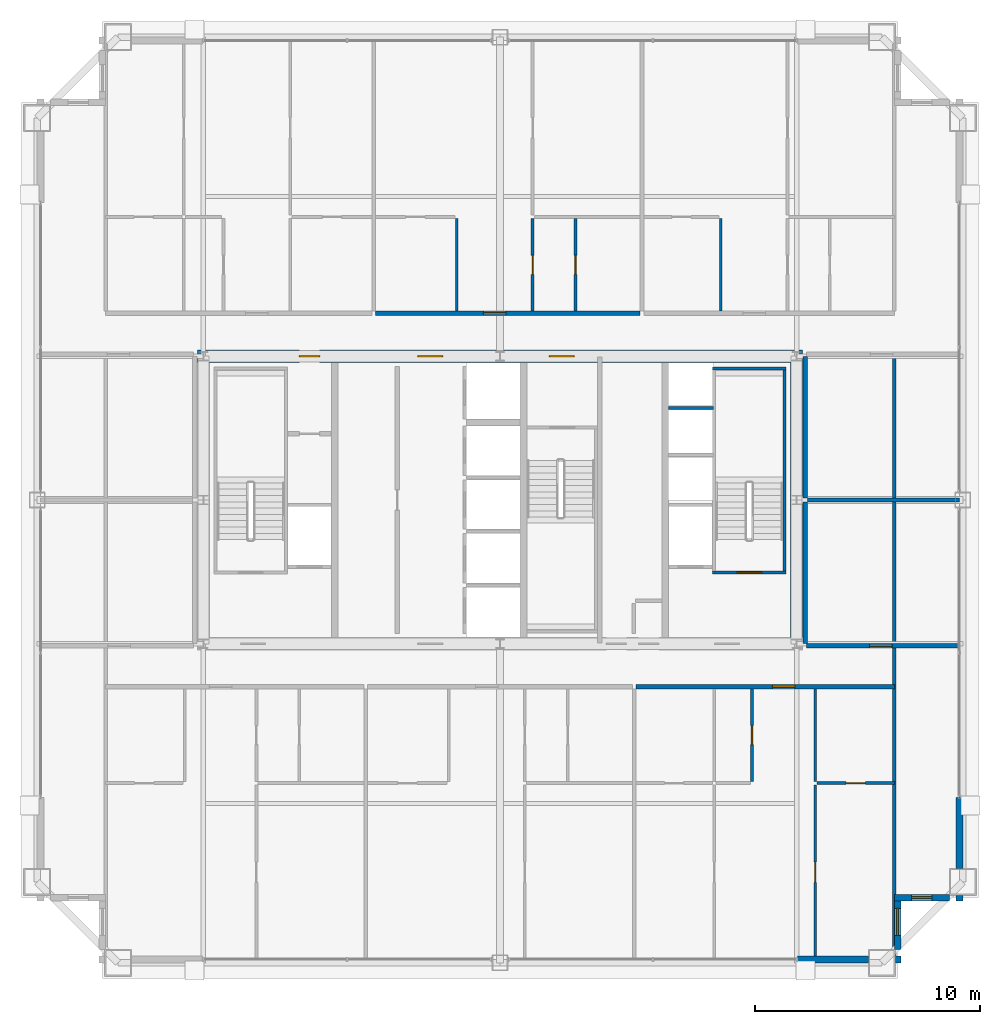
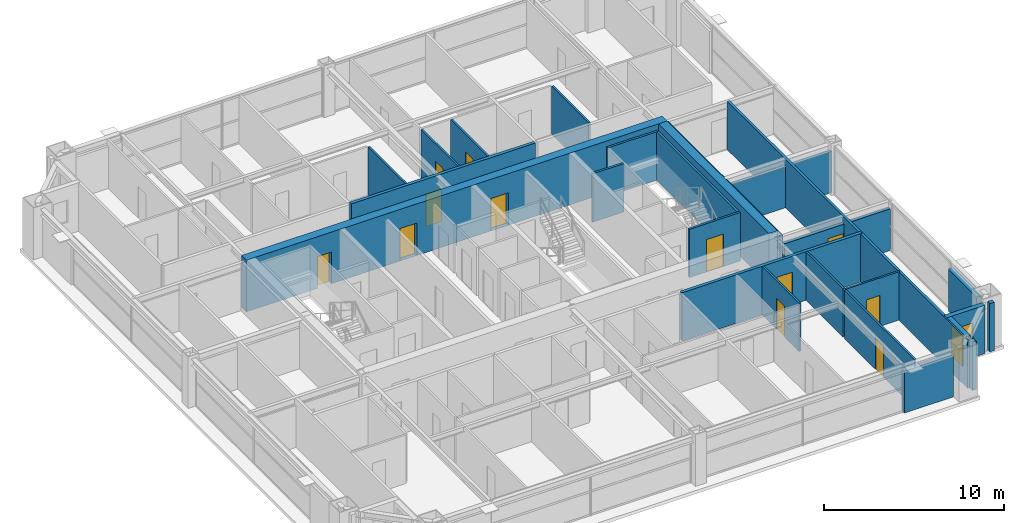
# One storey, part 34 of 37: 27 walls, 12 doors, 2 windows, 14 openings.
"""IFC4 building model written with IfcOpenShell, lengths in metres."""

import ifcopenshell
import ifcopenshell.guid

model = None  # the IFC model being written
_history = None  # IfcOwnerHistory: only IFC2X3 demands one
_inside = {}  # id of a spatial element -> (the spatial element, [elements in it])
_under = {}  # id of a project, library or spatial element -> (it, [spatial elements below it])
_declared = {}  # id of a project -> (the project, [libraries it declares])
_typed = {}  # id of a type object -> (the type object, [elements of that type])
_made_of = {}  # id of a material, layer set ... -> (it, [elements and type objects made of it])


def new_model(schema):
    """Start an empty IFC model of exactly this schema.

    Asked for "IFC4X3", IfcOpenShell would pick the latest addendum, in which some entities
    have other attributes; the version numbers below select the first issue.
    IFC2X3 requires an IfcOwnerHistory on every rooted entity: one is made here for all.
    """
    global model, _history
    if schema == "IFC4X3":
        model = ifcopenshell.file(schema_version=(4, 3, 0, 0))
    else:
        model = ifcopenshell.file(schema=schema)
    _inside.clear()
    _under.clear()
    _declared.clear()
    _typed.clear()
    _made_of.clear()
    _history = None
    if model.schema == "IFC2X3":
        org = make("IfcOrganization", Name="unknown")
        user = make(
            "IfcPersonAndOrganization",
            ThePerson=make("IfcPerson", FamilyName="unknown"),
            TheOrganization=org,
        )
        app = make(
            "IfcApplication",
            ApplicationDeveloper=org,
            Version="unknown",
            ApplicationFullName="unknown",
            ApplicationIdentifier="unknown",
        )
        _history = make(
            "IfcOwnerHistory",
            OwningUser=user,
            OwningApplication=app,
            ChangeAction="ADDED",
            CreationDate=0,
        )
    return model


def make(cls, **values):
    """One entity of the class cls with the attributes given. An attribute that is None is left unset."""
    return model.create_entity(
        cls, **{name: value for name, value in values.items() if value is not None}
    )


def rooted(cls, **values):
    """An entity with a GlobalId (a new one), such as an element, a storey or a relation."""
    return make(cls, GlobalId=ifcopenshell.guid.new(), OwnerHistory=_history, **values)


def si_unit(unit_type, name, prefix=None):
    """IfcSIUnit, for example si_unit("LENGTHUNIT", "METRE", prefix="MILLI")."""
    return make("IfcSIUnit", UnitType=unit_type, Prefix=prefix, Name=name)


def assignment(units):
    """IfcUnitAssignment: the units of a project."""
    return None if units is None else make("IfcUnitAssignment", Units=units)


def point(xyz):
    """IfcCartesianPoint."""
    return None if xyz is None else make("IfcCartesianPoint", Coordinates=xyz)


def direction(xyz):
    """IfcDirection."""
    return None if xyz is None else make("IfcDirection", DirectionRatios=xyz)


def frame(location, z_axis=None, x_axis=None):
    """IfcAxis2Placement3D, a coordinate frame: its origin and axes. An axis left out is left unset."""
    return make(
        "IfcAxis2Placement3D",
        Location=point(location),
        Axis=direction(z_axis),
        RefDirection=direction(x_axis),
    )


def frame_2d(location, x_axis=None):
    """IfcAxis2Placement2D, a coordinate frame in the plane: its origin and x axis."""
    return make(
        "IfcAxis2Placement2D", Location=point(location), RefDirection=direction(x_axis)
    )


def origin():
    """The frame at (0, 0, 0) with its axes left unset."""
    return frame((0.0, 0.0, 0.0))


def place(relative_to, where):
    """IfcLocalPlacement: puts the frame where relative to a parent placement (None: the world)."""
    return make(
        "IfcLocalPlacement", PlacementRelTo=relative_to, RelativePlacement=where
    )


def context(
    kind, dimensions, precision=None, world=None, true_north=None, identifier=None
):
    """IfcGeometricRepresentationContext, for example the 3D "Model" context."""
    return make(
        "IfcGeometricRepresentationContext",
        ContextIdentifier=identifier,
        ContextType=kind,
        CoordinateSpaceDimension=dimensions,
        Precision=precision,
        WorldCoordinateSystem=world,
        TrueNorth=true_north,
    )


def subcontext(parent, identifier, kind, view, scale=None):
    """IfcGeometricRepresentationSubContext, for example "Body" below "Model"."""
    return make(
        "IfcGeometricRepresentationSubContext",
        ContextIdentifier=identifier,
        ContextType=kind,
        ParentContext=parent,
        TargetScale=scale,
        TargetView=view,
    )


def project(units=None, contexts=None):
    """IfcProject with its units and contexts."""
    return rooted(
        "IfcProject",
        Name="project",
        RepresentationContexts=contexts,
        UnitsInContext=assignment(units),
    )


def spatial(cls, under=None, at=None, **own):
    """A site, building, storey or space (cls), placed at a placement, below another one or the project."""
    s = rooted(cls, ObjectPlacement=at, **own)
    if under is not None:
        _under.setdefault(under.id(), (under, []))[1].append(s)
    return s


def profile(cls, at=None, kind="AREA", **sizes):
    """A parametric profile (cls). Its sizes go by their IFC names, for example OverallWidth=200.0."""
    return make(cls, ProfileType=kind, Position=at, **sizes)


def rectangle(**sizes):
    """IfcRectangleProfileDef."""
    return profile("IfcRectangleProfileDef", **sizes)


def extrude(swept, where, along, depth):
    """IfcExtrudedAreaSolid: the profile swept, set in the frame where, extruded along a direction by depth."""
    return make(
        "IfcExtrudedAreaSolid",
        SweptArea=swept,
        Position=where,
        ExtrudedDirection=direction(along),
        Depth=depth,
    )


def shape(context_of_items, identifier, shape_type, items):
    """IfcShapeRepresentation: the items that make up one representation, for example the "Body"."""
    return make(
        "IfcShapeRepresentation",
        ContextOfItems=context_of_items,
        RepresentationIdentifier=identifier,
        RepresentationType=shape_type,
        Items=items,
    )


def source(mapping_origin, context_of_items, identifier, shape_type, items):
    """IfcRepresentationMap: a shape defined once, which mapped items show again and again."""
    return make(
        "IfcRepresentationMap",
        MappingOrigin=mapping_origin,
        MappedRepresentation=shape(context_of_items, identifier, shape_type, items),
    )


def transform(
    local_origin,
    x_axis=None,
    y_axis=None,
    z_axis=None,
    scale=None,
    scale2=None,
    scale3=None,
    uniform=True,
):
    """IfcCartesianTransformationOperator3D, or its non-uniform kind. x_axis, y_axis, z_axis: its Axis1, 2, 3."""
    if uniform:
        return make(
            "IfcCartesianTransformationOperator3D",
            Axis1=direction(x_axis),
            Axis2=direction(y_axis),
            LocalOrigin=point(local_origin),
            Scale=scale,
            Axis3=direction(z_axis),
        )
    return make(
        "IfcCartesianTransformationOperator3DnonUniform",
        Axis1=direction(x_axis),
        Axis2=direction(y_axis),
        LocalOrigin=point(local_origin),
        Scale=scale,
        Axis3=direction(z_axis),
        Scale2=scale2,
        Scale3=scale3,
    )


def mapped(mapping_source, mapping_target):
    """IfcMappedItem: shows the shape of a source again, moved by a transform."""
    return make(
        "IfcMappedItem", MappingSource=mapping_source, MappingTarget=mapping_target
    )


def material(Name=None, Category=None):
    """IfcMaterial."""
    return make("IfcMaterial", Name=Name, Category=Category)


def layer(
    of_material, thickness, ventilated=None, Name=None, Category=None, Priority=None
):
    """IfcMaterialLayer: one layer of a wall or slab, of a material (None: an air gap)."""
    return make(
        "IfcMaterialLayer",
        Material=of_material,
        LayerThickness=thickness,
        IsVentilated=ventilated,
        Name=Name,
        Category=Category,
        Priority=Priority,
    )


def layer_set(layers, Name=None):
    """IfcMaterialLayerSet."""
    return make("IfcMaterialLayerSet", MaterialLayers=layers, LayerSetName=Name)


def made_of(thing, what):
    """Note that an element or type object is made of a material, layer set ...; save() writes the relation."""
    if what is not None:
        _made_of.setdefault(what.id(), (what, []))[1].append(thing)
    return thing


def type_object(cls, material=None, **own):
    """A type object (cls), such as IfcWallType, which elements share."""
    return made_of(rooted(cls, **own), material)


def element(
    cls,
    number,
    at=None,
    inside=None,
    cuts=None,
    type_object=None,
    material=None,
    context=None,
    identifier="Body",
    shape_type=None,
    held_by="IfcProductDefinitionShape",
    body=None,
    shapes=None,
    **own,
):
    """One element of the class cls, such as IfcWall. Its Tag is "e" and its number.

    at: its placement. inside: the storey or other place that contains it. cuts: it is an
    opening in that element (IfcRelVoidsElement). A single representation is given by context,
    identifier, shape_type and body (its items); several are given by shapes. held_by: the class
    of the entity that holds the representations. save() writes the other relations.
    """
    e = rooted(cls, Tag="e%d" % number, ObjectPlacement=at, **own)
    if body is not None:
        shapes = [shape(context, identifier, shape_type, body)]
    if shapes is not None:
        e.Representation = make(held_by, Representations=shapes)
    if inside is not None:
        _inside.setdefault(inside.id(), (inside, []))[1].append(e)
    if cuts is not None:
        rooted(
            "IfcRelVoidsElement", RelatingBuildingElement=cuts, RelatedOpeningElement=e
        )
    if type_object is not None:
        _typed.setdefault(type_object.id(), (type_object, []))[1].append(e)
    return made_of(e, material)


def fill(opening, filler):
    """IfcRelFillsElement: the door or window that sits in an opening."""
    return rooted(
        "IfcRelFillsElement",
        RelatingOpeningElement=opening,
        RelatedBuildingElement=filler,
    )


def aggregate(whole, parts):
    """IfcRelAggregates: a whole, such as a stair, and the parts it consists of."""
    return rooted("IfcRelAggregates", RelatingObject=whole, RelatedObjects=parts)


def save(model, path):
    """Write the relations noted so far, then the file.

    IfcRelAggregates (storeys below a building ...), IfcRelContainedInSpatialStructure (elements
    in a storey), IfcRelDefinesByType, IfcRelAssociatesMaterial and IfcRelDeclares: one each for
    every whole, place, type object, material and project.
    """
    for whole, parts in _under.values():
        aggregate(whole, parts)
    for where, things in _inside.values():
        rooted(
            "IfcRelContainedInSpatialStructure",
            RelatedElements=things,
            RelatingStructure=where,
        )
    for kind, things in _typed.values():
        rooted("IfcRelDefinesByType", RelatedObjects=things, RelatingType=kind)
    for what, things in _made_of.values():
        rooted("IfcRelAssociatesMaterial", RelatedObjects=things, RelatingMaterial=what)
    for by, libraries in _declared.values():
        rooted("IfcRelDeclares", RelatingContext=by, RelatedDefinitions=libraries)
    model.write(path)


model = new_model("IFC4")

# Units and contexts
model_context = context("Model", 3, precision=1e-05, world=origin(), true_north=direction((0.0, 1.0)))
body_context = subcontext(model_context, "Body", "Model", "MODEL_VIEW")
ifc_project = project(units=[si_unit("LENGTHUNIT", "METRE"), si_unit("AREAUNIT", "SQUARE_METRE"), si_unit("VOLUMEUNIT", "CUBIC_METRE"), si_unit("PLANEANGLEUNIT", "RADIAN"), si_unit("MASSUNIT", "GRAM", prefix="KILO"), si_unit("THERMODYNAMICTEMPERATUREUNIT", "KELVIN"), si_unit("POWERUNIT", "WATT")], contexts=[model_context])

# Site, building, storey
site_placement = place(None, origin())
site = spatial("IfcSite", under=ifc_project, at=site_placement, CompositionType="ELEMENT")
building_placement = place(site_placement, origin())
building = spatial("IfcBuilding", under=site, at=building_placement, Name="Yuzanri Waterfront Tower", CompositionType="ELEMENT")
storey_placement = place(building_placement, frame((0.0, 0.0, 245.10009765625)))
storey = spatial("IfcBuildingStorey", under=building, at=storey_placement, Name="L65", CompositionType="ELEMENT", Elevation=245.10009765625)

# Wall, opening, door
ifc_material_1 = material(Name="Moisture-Resistant Gypsum Stud Wall", Category="gypsum")
ifc_layer_1 = layer(ifc_material_1, 0.1201171875)
ifc_layer_set_1 = layer_set([ifc_layer_1], Name="Moisture-Resistant Gypsum Stud Wall")
wall_type_1 = type_object("IfcWallType", Name="Bathroom and Kitchen Wet Partition 120", PredefinedType="PARTITIONING", material=ifc_layer_set_1)
wall_1_placement = place(storey_placement, frame((48.218994140625, 13.280029296875, 0.0), z_axis=(0.0, 0.0, 1.0), x_axis=(0.0, 1.0, 0.0)))
wall_1 = element("IfcWall", 1, at=wall_1_placement, inside=storey, type_object=wall_type_1, Name="L65 Partition UW-L65-RS3-SUB-2-E", PredefinedType="PARTITIONING", context=body_context, shape_type="SweptSolid", body=[
    extrude(rectangle(XDim=4.10986328125, YDim=0.1201171875, at=frame_2d((2.054931640625, 0.0))), origin(), (0.0, 0.0, 1.0), 3.27978515625),
])
opening_1_placement = place(wall_1_placement, frame((1.6298828125, 0.0, 0.0)))
opening_1 = element("IfcOpeningElement", 2, at=opening_1_placement, cuts=wall_1, Name="Opening ID-0850", PredefinedType="OPENING", context=body_context, shape_type="SweptSolid", body=[
    extrude(rectangle(XDim=0.85009765625, YDim=2.10009765625, at=frame_2d((0.425048828125, 1.050048828125))), frame((0.0, 0.074951171875, 0.0), z_axis=(0.0, -1.0, 0.0), x_axis=(1.0, 0.0, 0.0)), (0.0, 0.0, 1.0), 0.14990234375),
])
ifc_material_2 = material(Name="Moisture-Resistant Lacquered Timber", Category="wood")
door_type_1 = type_object("IfcDoorType", Name="En-Suite Bathroom and Kitchen Swing Door 850x2100", OperationType="NOTDEFINED", PredefinedType="DOOR", material=ifc_material_2)
shared_shape_1 = source(origin(), body_context, "Body", "SweptSolid", [
    extrude(rectangle(XDim=0.85009765625, YDim=2.10009765625, at=frame_2d((0.425048828125, 1.050048828125))), frame((0.0, 0.02490234375, 0.0), z_axis=(0.0, -1.0, 0.0), x_axis=(1.0, 0.0, 0.0)), (0.0, 0.0, 1.0), 0.050048828125),
])
door_1_placement = place(opening_1_placement, origin())
door_1 = element("IfcDoor", 3, at=door_1_placement, inside=storey, type_object=door_type_1, Name="L65 Suite Interior Room Door", OperationType="SINGLE_SWING_LEFT", OverallHeight=2.10009765625, OverallWidth=0.85009765625, PredefinedType="DOOR", context=body_context, shape_type="MappedRepresentation", body=[
    mapped(shared_shape_1, transform((0.0, 0.0, 0.0), scale=1.0)),
])
fill(opening_1, door_1)

wall_2_placement = place(storey_placement, frame((51.10693359375, 13.199951171875, 0.0), z_axis=(0.0, 0.0, 1.0), x_axis=(1.0, 0.0, 0.0)))
wall_2 = element("IfcWall", 4, at=wall_2_placement, inside=storey, type_object=wall_type_1, Name="L65 Partition UW-L65-RS3-SUB-3-S", PredefinedType="PARTITIONING", context=body_context, shape_type="SweptSolid", body=[
    extrude(rectangle(XDim=3.453125, YDim=0.1201171875, at=frame_2d((1.7265625, 0.0))), origin(), (0.0, 0.0, 1.0), 3.27978515625),
])
opening_2_placement = place(wall_2_placement, frame((1.301513671875, 0.0, 0.0)))
opening_2 = element("IfcOpeningElement", 5, at=opening_2_placement, cuts=wall_2, Name="Opening ID-0850", PredefinedType="OPENING", context=body_context, shape_type="SweptSolid", body=[
    extrude(rectangle(XDim=0.85009765625, YDim=2.10009765625, at=frame_2d((0.425048828125, 1.050048828125))), frame((0.0, 0.074951171875, 0.0), z_axis=(0.0, -1.0, 0.0), x_axis=(1.0, 0.0, 0.0)), (0.0, 0.0, 1.0), 0.14990234375),
])
door_2_placement = place(opening_2_placement, origin())
door_2 = element("IfcDoor", 6, at=door_2_placement, inside=storey, type_object=door_type_1, Name="L65 Suite Interior Room Door", OperationType="SINGLE_SWING_RIGHT", OverallHeight=2.10009765625, OverallWidth=0.85009765625, PredefinedType="DOOR", context=body_context, shape_type="MappedRepresentation", body=[
    mapped(shared_shape_1, transform((0.0, 0.0, 0.0), scale=1.0)),
])
fill(opening_2, door_2)

wall_3_placement = place(storey_placement, frame((51.027099609375, 5.35009765625, 0.0), z_axis=(0.0, 0.0, 1.0), x_axis=(0.0, 1.0, 0.0)))
wall_3 = element("IfcWall", 7, at=wall_3_placement, inside=storey, type_object=wall_type_1, Name="L65 Partition UW-L65-RS3-SUB-5-W", PredefinedType="PARTITIONING", context=body_context, shape_type="SweptSolid", body=[
    extrude(rectangle(XDim=7.77001953125, YDim=0.1201171875, at=frame_2d((3.885009765625, 0.0))), origin(), (0.0, 0.0, 1.0), 3.27978515625),
])
opening_3_placement = place(wall_3_placement, frame((3.43505859375, 0.0, 0.0)))
opening_3 = element("IfcOpeningElement", 8, at=opening_3_placement, cuts=wall_3, Name="Opening ID-0900", PredefinedType="OPENING", context=body_context, shape_type="SweptSolid", body=[
    extrude(rectangle(XDim=0.89990234375, YDim=2.14990234375, at=frame_2d((0.449951171875, 1.074951171875))), frame((0.0, 0.074951171875, 0.0), z_axis=(0.0, -1.0, 0.0), x_axis=(1.0, 0.0, 0.0)), (0.0, 0.0, 1.0), 0.14990234375),
])
ifc_material_3 = material(Name="Stained Walnut Veneer Timber", Category="wood")
door_type_2 = type_object("IfcDoorType", Name="Bedroom and Study Interior Swing Door 900x2150", OperationType="NOTDEFINED", PredefinedType="DOOR", material=ifc_material_3)
shared_shape_2 = source(origin(), body_context, "Body", "SweptSolid", [
    extrude(rectangle(XDim=0.89990234375, YDim=2.14990234375, at=frame_2d((0.449951171875, 1.074951171875))), frame((0.0, 0.02490234375, 0.0), z_axis=(0.0, -1.0, 0.0), x_axis=(1.0, 0.0, 0.0)), (0.0, 0.0, 1.0), 0.050048828125),
])
door_3_placement = place(opening_3_placement, origin())
door_3 = element("IfcDoor", 9, at=door_3_placement, inside=storey, type_object=door_type_2, Name="L65 Suite Interior Room Door", OperationType="SINGLE_SWING_RIGHT", OverallHeight=2.14990234375, OverallWidth=0.89990234375, PredefinedType="DOOR", context=body_context, shape_type="MappedRepresentation", body=[
    mapped(shared_shape_2, transform((0.0, 0.0, 0.0), scale=1.0)),
])
fill(opening_3, door_3)

wall_4_placement = place(storey_placement, frame((40.362060546875, 34.2099609375, 0.0), z_axis=(0.0, 0.0, 1.0), x_axis=(0.0, 1.0, 0.0)))
wall_4 = element("IfcWall", 10, at=wall_4_placement, inside=storey, type_object=wall_type_1, Name="L65 Partition UW-L65-RN2-SUB-2-W", PredefinedType="PARTITIONING", context=body_context, shape_type="SweptSolid", body=[
    extrude(rectangle(XDim=4.110107421875, YDim=0.1201171875, at=frame_2d((2.05517578125, 0.0))), origin(), (0.0, 0.0, 1.0), 3.27978515625),
])
opening_4_placement = place(wall_4_placement, frame((1.6298828125, 0.0, 0.0)))
opening_4 = element("IfcOpeningElement", 11, at=opening_4_placement, cuts=wall_4, Name="Opening ID-0850", PredefinedType="OPENING", context=body_context, shape_type="SweptSolid", body=[
    extrude(rectangle(XDim=0.85009765625, YDim=2.10009765625, at=frame_2d((0.425048828125, 1.050048828125))), frame((0.0, 0.074951171875, 0.0), z_axis=(0.0, -1.0, 0.0), x_axis=(1.0, 0.0, 0.0)), (0.0, 0.0, 1.0), 0.14990234375),
])
door_4_placement = place(opening_4_placement, origin())
door_4 = element("IfcDoor", 12, at=door_4_placement, inside=storey, type_object=door_type_1, Name="L65 Suite Interior Room Door", OperationType="SINGLE_SWING_LEFT", OverallHeight=2.10009765625, OverallWidth=0.85009765625, PredefinedType="DOOR", context=body_context, shape_type="MappedRepresentation", body=[
    mapped(shared_shape_1, transform((0.0, 0.0, 0.0), scale=1.0)),
])
fill(opening_4, door_4)

wall_5_placement = place(storey_placement, frame((38.449951171875, 34.2099609375, 0.0), z_axis=(0.0, 0.0, 1.0), x_axis=(0.0, 1.0, 0.0)))
wall_5 = element("IfcWall", 13, at=wall_5_placement, inside=storey, type_object=wall_type_1, Name="L65 Partition UW-L65-RN2-SUB-4-W", PredefinedType="PARTITIONING", context=body_context, shape_type="SweptSolid", body=[
    extrude(rectangle(XDim=4.110107421875, YDim=0.1201171875, at=frame_2d((2.05517578125, 0.0))), origin(), (0.0, 0.0, 1.0), 3.27978515625),
])
opening_5_placement = place(wall_5_placement, frame((1.6298828125, 0.0, 0.0)))
opening_5 = element("IfcOpeningElement", 14, at=opening_5_placement, cuts=wall_5, Name="Opening ID-0850", PredefinedType="OPENING", context=body_context, shape_type="SweptSolid", body=[
    extrude(rectangle(XDim=0.85009765625, YDim=2.10009765625, at=frame_2d((0.425048828125, 1.050048828125))), frame((0.0, 0.074951171875, 0.0), z_axis=(0.0, -1.0, 0.0), x_axis=(1.0, 0.0, 0.0)), (0.0, 0.0, 1.0), 0.14990234375),
])
door_5_placement = place(opening_5_placement, origin())
door_5 = element("IfcDoor", 15, at=door_5_placement, inside=storey, type_object=door_type_1, Name="L65 Suite Interior Room Door", OperationType="SINGLE_SWING_LEFT", OverallHeight=2.10009765625, OverallWidth=0.85009765625, PredefinedType="DOOR", context=body_context, shape_type="MappedRepresentation", body=[
    mapped(shared_shape_1, transform((0.0, 0.0, 0.0), scale=1.0)),
])
fill(opening_5, door_5)

# Wall, opening, window
ifc_material_4 = material(Name="Honed Chongqing Dark Basalt Stone", Category="masonry")
ifc_layer_2 = layer(ifc_material_4, 0.300048828125)
ifc_layer_set_2 = layer_set([ifc_layer_2], Name="Honed Chongqing Dark Basalt Stone")
wall_type_2 = type_object("IfcWallType", Name="Bronze Rainscreen Insulated Spandrel Portal Wall 300", PredefinedType="SOLIDWALL", material=ifc_layer_set_2)
wall_6_placement = place(storey_placement, frame((54.550048828125, 8.10009765625, 0.0), z_axis=(0.0, 0.0, 1.0), x_axis=(1.0, 0.0, 0.0)))
wall_6 = element("IfcWall", 16, at=wall_6_placement, inside=storey, type_object=wall_type_2, Name="L65 Notched Corner Masonry Wall SE-X", PredefinedType="SOLIDWALL", context=body_context, shape_type="SweptSolid", body=[
    extrude(rectangle(XDim=2.449951171875, YDim=0.300048828125, at=frame_2d((1.22509765625, 0.0))), origin(), (0.0, 0.0, 1.0), 3.27978515625),
])
opening_6_placement = place(wall_6_placement, frame((0.77490234375, 0.0, 0.85009765625)))
opening_6 = element("IfcOpeningElement", 17, at=opening_6_placement, cuts=wall_6, Name="Opening WN-05", PredefinedType="OPENING", context=body_context, shape_type="SweptSolid", body=[
    extrude(rectangle(XDim=0.89990234375, YDim=1.5, at=frame_2d((0.449951171875, 0.75))), frame((0.0, 0.1650390625, 0.0), z_axis=(0.0, -1.0, 0.0), x_axis=(1.0, 0.0, 0.0)), (0.0, 0.0, 1.0), 0.329833984375),
])
ifc_material_5 = material(Name="Double-Silver Low-E Insulated Glass", Category="glass")
window_type_1 = type_object("IfcWindowType", Name="Anodized Bronze Service and Stairwell Smoke-Vent Window 900x1500", PartitioningType="SINGLE_PANEL", PredefinedType="WINDOW", material=ifc_material_5)
shared_shape_3 = source(origin(), body_context, "Body", "SweptSolid", [
    extrude(rectangle(XDim=0.89990234375, YDim=1.5, at=frame_2d((0.449951171875, 0.75))), frame((0.0, 0.030029296875, 0.0), z_axis=(0.0, -1.0, 0.0), x_axis=(1.0, 0.0, 0.0)), (0.0, 0.0, 1.0), 0.06005859375),
])
window_1_placement = place(opening_6_placement, origin())
window_1 = element("IfcWindow", 18, at=window_1_placement, inside=storey, type_object=window_type_1, Name="L65 Notched Corner Window SE-X", OverallHeight=1.5, OverallWidth=0.89990234375, PartitioningType="SINGLE_PANEL", PredefinedType="WINDOW", context=body_context, shape_type="MappedRepresentation", body=[
    mapped(shared_shape_3, transform((0.0, 0.0, 0.0), scale=1.0)),
])
fill(opening_6, window_1)

wall_7_placement = place(storey_placement, frame((54.699951171875, 5.800048828125, 0.0), z_axis=(0.0, 0.0, 1.0), x_axis=(0.0, 1.0, 0.0)))
wall_7 = element("IfcWall", 19, at=wall_7_placement, inside=storey, type_object=wall_type_2, Name="L65 Notched Corner Masonry Wall SE-Y", PredefinedType="SOLIDWALL", context=body_context, shape_type="SweptSolid", body=[
    extrude(rectangle(XDim=2.449951171875, YDim=0.300048828125, at=frame_2d((1.22509765625, 0.0))), origin(), (0.0, 0.0, 1.0), 3.27978515625),
])
opening_7_placement = place(wall_7_placement, frame((0.625, 0.0, 0.85009765625)))
opening_7 = element("IfcOpeningElement", 20, at=opening_7_placement, cuts=wall_7, Name="Opening WN-02", PredefinedType="OPENING", context=body_context, shape_type="SweptSolid", body=[
    extrude(rectangle(XDim=1.199951171875, YDim=2.10009765625, at=frame_2d((0.60009765625, 1.050048828125))), frame((0.0, 0.1650390625, 0.0), z_axis=(0.0, -1.0, 0.0), x_axis=(1.0, 0.0, 0.0)), (0.0, 0.0, 1.0), 0.329833984375),
])
ifc_material_6 = material(Name="Double-Silver Low-E Insulated Glass", Category="glass")
window_type_2 = type_object("IfcWindowType", Name="Anodized Bronze Notched Corner Deep-Set Slot Window 1200x2100", PartitioningType="SINGLE_PANEL", PredefinedType="WINDOW", material=ifc_material_6)
shared_shape_4 = source(origin(), body_context, "Body", "SweptSolid", [
    extrude(rectangle(XDim=1.199951171875, YDim=2.10009765625, at=frame_2d((0.60009765625, 1.050048828125))), frame((0.0, 0.030029296875, 0.0), z_axis=(0.0, -1.0, 0.0), x_axis=(1.0, 0.0, 0.0)), (0.0, 0.0, 1.0), 0.06005859375),
])
window_2_placement = place(opening_7_placement, origin())
window_2 = element("IfcWindow", 21, at=window_2_placement, inside=storey, type_object=window_type_2, Name="L65 Notched Corner Window SE-Y", OverallHeight=2.10009765625, OverallWidth=1.199951171875, PartitioningType="SINGLE_PANEL", PredefinedType="WINDOW", context=body_context, shape_type="MappedRepresentation", body=[
    mapped(shared_shape_4, transform((0.0, 0.0, 0.0), scale=1.0)),
])
fill(opening_7, window_2)

# Wall, openings, doors
ifc_material_7 = material(Name="Concrete C50", Category="concrete")
ifc_layer_3 = layer(ifc_material_7, 0.550048828125)
ifc_layer_set_3 = layer_set([ifc_layer_3], Name="Concrete C50")
wall_type_3 = type_object("IfcWallType", Name="Concrete C50 Upper-Mid Zone Core Shear Wall 550", PredefinedType="SHEAR", material=ifc_layer_set_3)
wall_8_placement = place(storey_placement, frame((23.52490234375, 32.199951171875, 0.0), z_axis=(0.0, 0.0, 1.0), x_axis=(1.0, 0.0, 0.0)))
wall_8 = element("IfcWall", 22, at=wall_8_placement, inside=storey, type_object=wall_type_3, Name="L65 Core North Shear Wall", PredefinedType="SHEAR", context=body_context, shape_type="SweptSolid", body=[
    extrude(rectangle(XDim=26.9501953125, YDim=0.550048828125, at=frame_2d((13.47509765625, 0.0))), origin(), (0.0, 0.0, 1.0), 3.5),
])
opening_8_placement = place(wall_8_placement, frame((4.544921875, 0.0, 0.0)))
opening_8 = element("IfcOpeningElement", 23, at=opening_8_placement, cuts=wall_8, Name="Opening FD-0900", PredefinedType="OPENING", context=body_context, shape_type="SweptSolid", body=[
    extrude(rectangle(XDim=0.89990234375, YDim=2.14990234375, at=frame_2d((0.449951171875, 1.074951171875))), frame((0.0, 0.2900390625, 0.0), z_axis=(0.0, -1.0, 0.0), x_axis=(1.0, 0.0, 0.0)), (0.0, 0.0, 1.0), 0.579833984375),
])
opening_9_placement = place(wall_8_placement, frame((9.824951171875, 0.0, 0.0)))
opening_9 = element("IfcOpeningElement", 24, at=opening_9_placement, cuts=wall_8, Name="Opening FD-1100", PredefinedType="OPENING", context=body_context, shape_type="SweptSolid", body=[
    extrude(rectangle(XDim=1.10009765625, YDim=2.199951171875, at=frame_2d((0.550048828125, 1.10009765625))), frame((0.0, 0.2900390625, 0.0), z_axis=(0.0, -1.0, 0.0), x_axis=(1.0, 0.0, 0.0)), (0.0, 0.0, 1.0), 0.579833984375),
])
opening_10_placement = place(wall_8_placement, frame((15.675048828125, 0.0, 0.0)))
opening_10 = element("IfcOpeningElement", 25, at=opening_10_placement, cuts=wall_8, Name="Opening FD-1100", PredefinedType="OPENING", context=body_context, shape_type="SweptSolid", body=[
    extrude(rectangle(XDim=1.10009765625, YDim=2.199951171875, at=frame_2d((0.550048828125, 1.10009765625))), frame((0.0, 0.2900390625, 0.0), z_axis=(0.0, -1.0, 0.0), x_axis=(1.0, 0.0, 0.0)), (0.0, 0.0, 1.0), 0.579833984375),
])
ifc_material_8 = material(Name="Painted Galvanized Fire Steel", Category="steel")
door_type_3 = type_object("IfcDoorType", Name="Smoke-Proof Stair and Lobby Fire Door 1100x2200", OperationType="NOTDEFINED", PredefinedType="DOOR", material=ifc_material_8)
shared_shape_5 = source(origin(), body_context, "Body", "SweptSolid", [
    extrude(rectangle(XDim=1.10009765625, YDim=2.199951171875, at=frame_2d((0.550048828125, 1.10009765625))), frame((0.0, 0.02490234375, 0.0), z_axis=(0.0, -1.0, 0.0), x_axis=(1.0, 0.0, 0.0)), (0.0, 0.0, 1.0), 0.050048828125),
])
door_6_placement = place(opening_9_placement, origin())
door_6 = element("IfcDoor", 26, at=door_6_placement, inside=storey, type_object=door_type_3, Name="L65 Central Lift Lobby North Door", OperationType="SINGLE_SWING_LEFT", OverallHeight=2.199951171875, OverallWidth=1.10009765625, PredefinedType="DOOR", context=body_context, shape_type="MappedRepresentation", body=[
    mapped(shared_shape_5, transform((0.0, 0.0, 0.0), scale=1.0)),
])
fill(opening_9, door_6)
door_7_placement = place(opening_10_placement, origin())
door_7 = element("IfcDoor", 27, at=door_7_placement, inside=storey, type_object=door_type_3, Name="L65 North Stair Lobby Door", OperationType="SINGLE_SWING_RIGHT", OverallHeight=2.199951171875, OverallWidth=1.10009765625, PredefinedType="DOOR", context=body_context, shape_type="MappedRepresentation", body=[
    mapped(shared_shape_5, transform((0.0, 0.0, 0.0), scale=1.0)),
])
fill(opening_10, door_7)
ifc_material_9 = material(Name="Painted Galvanized Fire Steel", Category="steel")
door_type_4 = type_object("IfcDoorType", Name="Riser and Service Room Fire Door 900x2150", OperationType="NOTDEFINED", PredefinedType="DOOR", material=ifc_material_9)
shared_shape_6 = source(origin(), body_context, "Body", "SweptSolid", [
    extrude(rectangle(XDim=0.89990234375, YDim=2.14990234375, at=frame_2d((0.449951171875, 1.074951171875))), frame((0.0, 0.02490234375, 0.0), z_axis=(0.0, -1.0, 0.0), x_axis=(1.0, 0.0, 0.0)), (0.0, 0.0, 1.0), 0.050048828125),
])
door_8_placement = place(opening_8_placement, origin())
door_8 = element("IfcDoor", 28, at=door_8_placement, inside=storey, type_object=door_type_4, Name="L65 Telecom Riser Door", OperationType="SINGLE_SWING_RIGHT", OverallHeight=2.14990234375, OverallWidth=0.89990234375, PredefinedType="DOOR", context=body_context, shape_type="MappedRepresentation", body=[
    mapped(shared_shape_6, transform((0.0, 0.0, 0.0), scale=1.0)),
])
fill(opening_8, door_8)

# Wall, opening, door
ifc_material_10 = material(Name="Concrete C40", Category="concrete")
ifc_layer_4 = layer(ifc_material_10, 0.139892578125)
ifc_layer_set_4 = layer_set([ifc_layer_4], Name="Concrete C40")
wall_type_4 = type_object("IfcWallType", Name="Core Stair Liner and Hoistway Shaft Wall 140", PredefinedType="SOLIDWALL", material=ifc_layer_set_4)
wall_9_placement = place(storey_placement, frame((46.4599609375, 22.570068359375, 0.0), z_axis=(0.0, 0.0, 1.0), x_axis=(1.0, 0.0, 0.0)))
wall_9 = element("IfcWall", 29, at=wall_9_placement, inside=storey, type_object=wall_type_4, Name="L65 Shaft Wall STW-L65-ST-02-S", PredefinedType="SOLIDWALL", context=body_context, shape_type="SweptSolid", body=[
    extrude(rectangle(XDim=3.280029296875, YDim=0.139892578125, at=frame_2d((1.64013671875, 0.0))), origin(), (0.0, 0.0, 1.0), 3.27978515625),
])
opening_11_placement = place(wall_9_placement, frame((1.090087890625, 0.0, 0.0)))
opening_11 = element("IfcOpeningElement", 30, at=opening_11_placement, cuts=wall_9, Name="Opening FD-1100", PredefinedType="OPENING", context=body_context, shape_type="SweptSolid", body=[
    extrude(rectangle(XDim=1.10009765625, YDim=2.199951171875, at=frame_2d((0.550048828125, 1.10009765625))), frame((0.0, 0.0849609375, 0.0), z_axis=(0.0, -1.0, 0.0), x_axis=(1.0, 0.0, 0.0)), (0.0, 0.0, 1.0), 0.169677734375),
])
door_9_placement = place(opening_11_placement, origin())
door_9 = element("IfcDoor", 31, at=door_9_placement, inside=storey, type_object=door_type_3, Name="L65 Stair ST-02 Fire Door", OperationType="SINGLE_SWING_LEFT", OverallHeight=2.199951171875, OverallWidth=1.10009765625, PredefinedType="DOOR", context=body_context, shape_type="MappedRepresentation", body=[
    mapped(shared_shape_5, transform((0.0, 0.0, 0.0), scale=1.0)),
])
fill(opening_11, door_9)

ifc_material_11 = material(Name="Autoclaved Aerated Concrete Blockwork", Category="masonry")
ifc_layer_5 = layer(ifc_material_11, 0.199951171875)
ifc_layer_set_5 = layer_set([ifc_layer_5], Name="Autoclaved Aerated Concrete Blockwork")
wall_type_5 = type_object("IfcWallType", Name="Corridor and Unit Party Fire Wall 200", PredefinedType="PARTITIONING", material=ifc_layer_set_5)
wall_10_placement = place(storey_placement, frame((43.050048828125, 17.489990234375, 0.0), z_axis=(0.0, 0.0, 1.0), x_axis=(1.0, 0.0, 0.0)))
wall_10 = element("IfcWall", 32, at=wall_10_placement, inside=storey, type_object=wall_type_5, Name="L65 Partition UW-L65-RS3-CN", PredefinedType="PARTITIONING", context=body_context, shape_type="SweptSolid", body=[
    extrude(rectangle(XDim=11.510009765625, YDim=0.199951171875, at=frame_2d((5.7548828125, 0.0))), origin(), (0.0, 0.0, 1.0), 3.27978515625),
])
opening_12_placement = place(wall_10_placement, frame((6.072998046875, 0.0, 0.0)))
opening_12 = element("IfcOpeningElement", 33, at=opening_12_placement, cuts=wall_10, Name="Opening FD-1000", PredefinedType="OPENING", context=body_context, shape_type="SweptSolid", body=[
    extrude(rectangle(XDim=1.0, YDim=2.199951171875, at=frame_2d((0.5, 1.10009765625))), frame((0.0, 0.11474609375, 0.0), z_axis=(0.0, -1.0, 0.0), x_axis=(1.0, 0.0, 0.0)), (0.0, 0.0, 1.0), 0.229736328125),
])
ifc_material_12 = material(Name="Engineered Oak Fire-Rated Timber", Category="wood")
door_type_5 = type_object("IfcDoorType", Name="Guestroom and Apartment Entrance Fire Door 1000x2200", OperationType="NOTDEFINED", PredefinedType="DOOR", material=ifc_material_12)
shared_shape_7 = source(origin(), body_context, "Body", "SweptSolid", [
    extrude(rectangle(XDim=1.0, YDim=2.199951171875, at=frame_2d((0.5, 1.10009765625))), frame((0.0, 0.02490234375, 0.0), z_axis=(0.0, -1.0, 0.0), x_axis=(1.0, 0.0, 0.0)), (0.0, 0.0, 1.0), 0.050048828125),
])
door_10_placement = place(opening_12_placement, origin())
door_10 = element("IfcDoor", 34, at=door_10_placement, inside=storey, type_object=door_type_5, Name="L65 Apartment Living and Dining Salon Entrance Door", OperationType="SINGLE_SWING_LEFT", OverallHeight=2.199951171875, OverallWidth=1.0, PredefinedType="DOOR", context=body_context, shape_type="MappedRepresentation", body=[
    mapped(shared_shape_7, transform((0.0, 0.0, 0.0), scale=1.0)),
])
fill(opening_12, door_10)

wall_11_placement = place(storey_placement, frame((31.4609375, 34.110107421875, 0.0), z_axis=(0.0, 0.0, 1.0), x_axis=(1.0, 0.0, 0.0)))
wall_11 = element("IfcWall", 35, at=wall_11_placement, inside=storey, type_object=wall_type_5, Name="L65 Partition UW-L65-RN2-CS", PredefinedType="PARTITIONING", context=body_context, shape_type="SweptSolid", body=[
    extrude(rectangle(XDim=11.781005859375, YDim=0.199951171875, at=frame_2d((5.890625, 0.0))), origin(), (0.0, 0.0, 1.0), 3.27978515625),
])
opening_13_placement = place(wall_11_placement, frame((4.801025390625, 0.0, 0.0)))
opening_13 = element("IfcOpeningElement", 36, at=opening_13_placement, cuts=wall_11, Name="Opening FD-1000", PredefinedType="OPENING", context=body_context, shape_type="SweptSolid", body=[
    extrude(rectangle(XDim=1.0, YDim=2.199951171875, at=frame_2d((0.5, 1.10009765625))), frame((0.0, 0.11474609375, 0.0), z_axis=(0.0, -1.0, 0.0), x_axis=(1.0, 0.0, 0.0)), (0.0, 0.0, 1.0), 0.229736328125),
])
door_11_placement = place(opening_13_placement, origin())
door_11 = element("IfcDoor", 37, at=door_11_placement, inside=storey, type_object=door_type_5, Name="L65 Apartment Living Room Entrance Door", OperationType="SINGLE_SWING_LEFT", OverallHeight=2.199951171875, OverallWidth=1.0, PredefinedType="DOOR", context=body_context, shape_type="MappedRepresentation", body=[
    mapped(shared_shape_7, transform((0.0, 0.0, 0.0), scale=1.0)),
])
fill(opening_13, door_11)

wall_12_placement = place(storey_placement, frame((50.64990234375, 19.31005859375, 0.0), z_axis=(0.0, 0.0, 1.0), x_axis=(1.0, 0.0, 0.0)))
wall_12 = element("IfcWall", 38, at=wall_12_placement, inside=storey, type_object=wall_type_5, Name="L65 Partition UW-L65-049-CS", PredefinedType="PARTITIONING", context=body_context, shape_type="SweptSolid", body=[
    extrude(rectangle(XDim=6.800048828125, YDim=0.199951171875, at=frame_2d((3.39990234375, 0.0))), origin(), (0.0, 0.0, 1.0), 2.824951171875),
])
opening_14_placement = place(wall_12_placement, frame((2.800048828125, 0.0, 0.0)))
opening_14 = element("IfcOpeningElement", 39, at=opening_14_placement, cuts=wall_12, Name="Opening FD-1000", PredefinedType="OPENING", context=body_context, shape_type="SweptSolid", body=[
    extrude(rectangle(XDim=1.0, YDim=2.199951171875, at=frame_2d((0.5, 1.10009765625))), frame((0.0, 0.11474609375, 0.0), z_axis=(0.0, -1.0, 0.0), x_axis=(1.0, 0.0, 0.0)), (0.0, 0.0, 1.0), 0.229736328125),
])
door_12_placement = place(opening_14_placement, origin())
door_12 = element("IfcDoor", 40, at=door_12_placement, inside=storey, type_object=door_type_5, Name="L65 Residents E Co-Working Office 1 Entrance Door", OperationType="SINGLE_SWING_LEFT", OverallHeight=2.199951171875, OverallWidth=1.0, PredefinedType="DOOR", context=body_context, shape_type="MappedRepresentation", body=[
    mapped(shared_shape_7, transform((0.0, 0.0, 0.0), scale=1.0)),
])
fill(opening_14, door_12)

# Walls
shared_shape_8 = source(origin(), body_context, "Body", "SweptSolid", [
    extrude(rectangle(XDim=12.25, YDim=0.550048828125, at=frame_2d((6.125, 0.0))), origin(), (0.0, 0.0, 1.0), 3.5),
])
wall_13_placement = place(storey_placement, frame((50.199951171875, 19.675048828125, 0.0), z_axis=(0.0, 0.0, 1.0), x_axis=(0.0, 1.0, 0.0)))
element("IfcWall", 41, at=wall_13_placement, inside=storey, type_object=wall_type_3, Name="L65 Core East Shear Wall", PredefinedType="SHEAR", context=body_context, shape_type="MappedRepresentation", body=[
    mapped(shared_shape_8, transform((0.0, 0.0, 0.0), scale=1.0)),
])
shared_shape_9 = source(origin(), body_context, "Body", "SweptSolid", [
    extrude(rectangle(XDim=0.25, YDim=0.300048828125, at=frame_2d((0.125, 0.0))), origin(), (0.0, 0.0, 1.0), 3.27978515625),
])
for number, where, z_axis, x_axis, name in (
    (42, (54.60009765625, 5.35009765625, 0.0), (0.0, 0.0, 1.0), (1.0, 0.0, 0.0), "L65 Corner Column Shoulder Return CSE"),
    (43, (57.449951171875, 7.949951171875, 0.0), (0.0, 0.0, 1.0), (0.0, 1.0, 0.0), "L65 Corner Column Shoulder Return CES"),
):
    element("IfcWall", number, at=place(storey_placement, frame(where, z_axis=z_axis, x_axis=x_axis)), inside=storey, type_object=wall_type_2, Name=name, PredefinedType="SOLIDWALL", context=body_context, shape_type="MappedRepresentation", body=[
        mapped(shared_shape_9, transform((0.0, 0.0, 0.0), scale=1.0)),
    ])
shared_shape_10 = source(origin(), body_context, "Body", "SweptSolid", [
    extrude(rectangle(XDim=3.14990234375, YDim=0.300048828125, at=frame_2d((1.574951171875, 0.0))), origin(), (0.0, 0.0, 1.0), 2.8349609375),
])
wall_14_placement = place(storey_placement, frame((50.25, 5.35009765625, 0.0), z_axis=(0.0, 0.0, 1.0), x_axis=(1.0, 0.0, 0.0)))
element("IfcWall", 44, at=wall_14_placement, inside=storey, type_object=wall_type_2, Name="L65 S Right Braced Masonry Shoulder", PredefinedType="SOLIDWALL", context=body_context, shape_type="MappedRepresentation", body=[
    mapped(shared_shape_10, transform((0.0, 0.0, 0.0), scale=1.0)),
])
shared_shape_11 = source(origin(), body_context, "Body", "SweptSolid", [
    extrude(rectangle(XDim=3.150146484375, YDim=0.300048828125, at=frame_2d((1.5751953125, 0.0))), origin(), (0.0, 0.0, 1.0), 2.8349609375),
])
wall_15_placement = place(storey_placement, frame((57.449951171875, 9.39990234375, 0.0), z_axis=(0.0, 0.0, 1.0), x_axis=(0.0, 1.0, 0.0)))
element("IfcWall", 45, at=wall_15_placement, inside=storey, type_object=wall_type_2, Name="L65 E Left Braced Masonry Shoulder", PredefinedType="SOLIDWALL", context=body_context, shape_type="MappedRepresentation", body=[
    mapped(shared_shape_11, transform((0.0, 0.0, 0.0), scale=1.0)),
])
shared_shape_12 = source(origin(), body_context, "Body", "SweptSolid", [
    extrude(rectangle(XDim=2.0, YDim=0.139892578125, at=frame_2d((1.0, 0.0))), origin(), (0.0, 0.0, 1.0), 3.27978515625),
])
wall_16_placement = place(storey_placement, frame((44.5, 29.89990234375, 0.0), z_axis=(0.0, 0.0, 1.0), x_axis=(1.0, 0.0, 0.0)))
element("IfcWall", 46, at=wall_16_placement, inside=storey, type_object=wall_type_4, Name="L65 Lift PL-10 Divider Wall", PredefinedType="SOLIDWALL", context=body_context, shape_type="MappedRepresentation", body=[
    mapped(shared_shape_12, transform((0.0, 0.0, 0.0), scale=1.0)),
])
shared_shape_13 = source(origin(), body_context, "Body", "SweptSolid", [
    extrude(rectangle(XDim=3.280029296875, YDim=0.139892578125, at=frame_2d((1.64013671875, 0.0))), origin(), (0.0, 0.0, 1.0), 3.27978515625),
])
wall_17_placement = place(storey_placement, frame((46.4599609375, 31.64990234375, 0.0), z_axis=(0.0, 0.0, 1.0), x_axis=(1.0, 0.0, 0.0)))
element("IfcWall", 47, at=wall_17_placement, inside=storey, type_object=wall_type_4, Name="L65 Stair ST-02 North Shaft Wall", PredefinedType="SOLIDWALL", context=body_context, shape_type="MappedRepresentation", body=[
    mapped(shared_shape_13, transform((0.0, 0.0, 0.0), scale=1.0)),
])
shared_shape_14 = source(origin(), body_context, "Body", "SweptSolid", [
    extrude(rectangle(XDim=8.940185546875, YDim=0.139892578125, at=frame_2d((4.47021484375, 0.0))), origin(), (0.0, 0.0, 1.0), 3.27978515625),
])
wall_18_placement = place(storey_placement, frame((49.669921875, 22.639892578125, 0.0), z_axis=(0.0, 0.0, 1.0), x_axis=(0.0, 1.0, 0.0)))
element("IfcWall", 48, at=wall_18_placement, inside=storey, type_object=wall_type_4, Name="L65 Stair ST-02 East Shaft Wall", PredefinedType="SOLIDWALL", context=body_context, shape_type="MappedRepresentation", body=[
    mapped(shared_shape_14, transform((0.0, 0.0, 0.0), scale=1.0)),
])
shared_shape_15 = source(origin(), body_context, "Body", "SweptSolid", [
    extrude(rectangle(XDim=4.10986328125, YDim=0.1201171875, at=frame_2d((2.054931640625, 0.0))), origin(), (0.0, 0.0, 1.0), 3.27978515625),
])
wall_19_placement = place(storey_placement, frame((51.027099609375, 13.280029296875, 0.0), z_axis=(0.0, 0.0, 1.0), x_axis=(0.0, 1.0, 0.0)))
element("IfcWall", 49, at=wall_19_placement, inside=storey, type_object=wall_type_1, Name="L65 Partition UW-L65-RS3-SUB-3-W", PredefinedType="PARTITIONING", context=body_context, shape_type="MappedRepresentation", body=[
    mapped(shared_shape_15, transform((0.0, 0.0, 0.0), scale=1.0)),
])
shared_shape_16 = source(origin(), body_context, "Body", "SweptSolid", [
    extrude(rectangle(XDim=6.764892578125, YDim=0.199951171875, at=frame_2d((3.38232421875, 0.0))), origin(), (0.0, 0.0, 1.0), 2.786865234375),
])
wall_20_placement = place(storey_placement, frame((50.68505859375, 25.800048828125, 0.0), z_axis=(0.0, 0.0, 1.0), x_axis=(1.0, 0.0, 0.0)))
element("IfcWall", 50, at=wall_20_placement, inside=storey, type_object=wall_type_5, Name="L65-049 Wing North Wall", PredefinedType="PARTITIONING", context=body_context, shape_type="MappedRepresentation", body=[
    mapped(shared_shape_16, transform((0.0, 0.0, 0.0), scale=1.0)),
])
shared_shape_17 = source(origin(), body_context, "Body", "SweptSolid", [
    extrude(rectangle(XDim=6.2900390625, YDim=0.199951171875, at=frame_2d((3.14501953125, 0.0))), origin(), (0.0, 0.0, 1.0), 3.27978515625),
])
for number, where, z_axis, x_axis, name in (
    (51, (50.580078125, 19.409912109375, 0.0), (0.0, 0.0, 1.0), (0.0, 1.0, 0.0), "L65-049 Wing Inner Core-Side Wall"),
    (52, (50.580078125, 25.89990234375, 0.0), (0.0, 0.0, 1.0), (0.0, 1.0, 0.0), "L65-050 Wing Inner Core-Side Wall"),
):
    element("IfcWall", number, at=place(storey_placement, frame(where, z_axis=z_axis, x_axis=x_axis)), inside=storey, type_object=wall_type_5, Name=name, PredefinedType="PARTITIONING", context=body_context, shape_type="MappedRepresentation", body=[
        mapped(shared_shape_17, transform((0.0, 0.0, 0.0), scale=1.0)),
    ])
ifc_material_13 = material(Name="Gypsum Fireboard Acoustic Stud Wall", Category="gypsum")
ifc_layer_6 = layer(ifc_material_13, 0.159912109375)
ifc_layer_set_6 = layer_set([ifc_layer_6], Name="Gypsum Fireboard Acoustic Stud Wall")
wall_type_6 = type_object("IfcWallType", Name="Acoustic Suite Demising Partition 160", PredefinedType="PARTITIONING", material=ifc_layer_set_6)
shared_shape_18 = source(origin(), body_context, "Body", "SweptSolid", [
    extrude(rectangle(XDim=26.68994140625, YDim=0.159912109375, at=frame_2d((13.344970703125, 0.0))), origin(), (0.0, 0.0, 1.0), 3.27978515625),
])
wall_21_placement = place(storey_placement, frame((54.550048828125, 5.5, 0.0), z_axis=(0.0, 0.0, 1.0), x_axis=(0.0, 1.0, 0.0)))
element("IfcWall", 53, at=wall_21_placement, inside=storey, type_object=wall_type_6, Name="L65 South Band East End Wall", PredefinedType="PARTITIONING", context=body_context, shape_type="MappedRepresentation", body=[
    mapped(shared_shape_18, transform((0.0, 0.0, 0.0), scale=1.0)),
])
shared_shape_19 = source(origin(), body_context, "Body", "SweptSolid", [
    extrude(rectangle(XDim=4.110107421875, YDim=0.1201171875, at=frame_2d((2.05517578125, 0.0))), origin(), (0.0, 0.0, 1.0), 3.27978515625),
])
for number, where, z_axis, x_axis, name in (
    (54, (35.074951171875, 34.2099609375, 0.0), (0.0, 0.0, 1.0), (0.0, 1.0, 0.0), "L65 Partition UW-L65-RN2-SUB-1-E"),
    (55, (46.8291015625, 34.2099609375, 0.0), (0.0, 0.0, 1.0), (0.0, 1.0, 0.0), "L65 Partition UW-L65-RN3-SUB-1-E"),
):
    element("IfcWall", number, at=place(storey_placement, frame(where, z_axis=z_axis, x_axis=x_axis)), inside=storey, type_object=wall_type_1, Name=name, PredefinedType="PARTITIONING", context=body_context, shape_type="MappedRepresentation", body=[
        mapped(shared_shape_19, transform((0.0, 0.0, 0.0), scale=1.0)),
    ])

save(model, "model.ifc")
